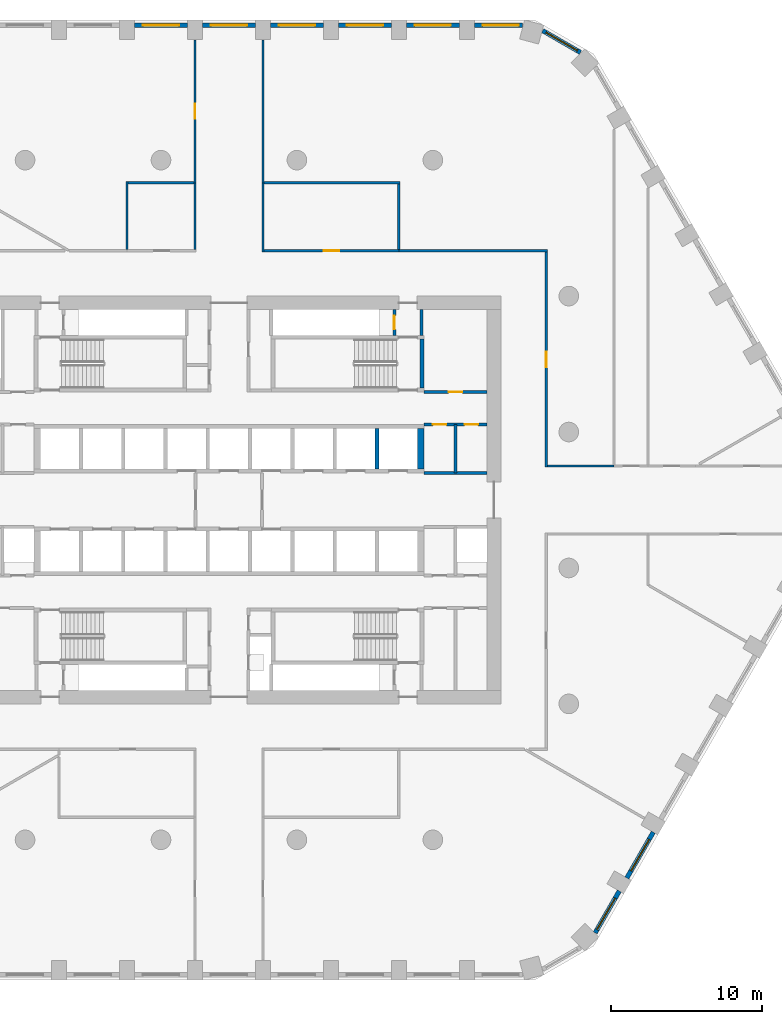
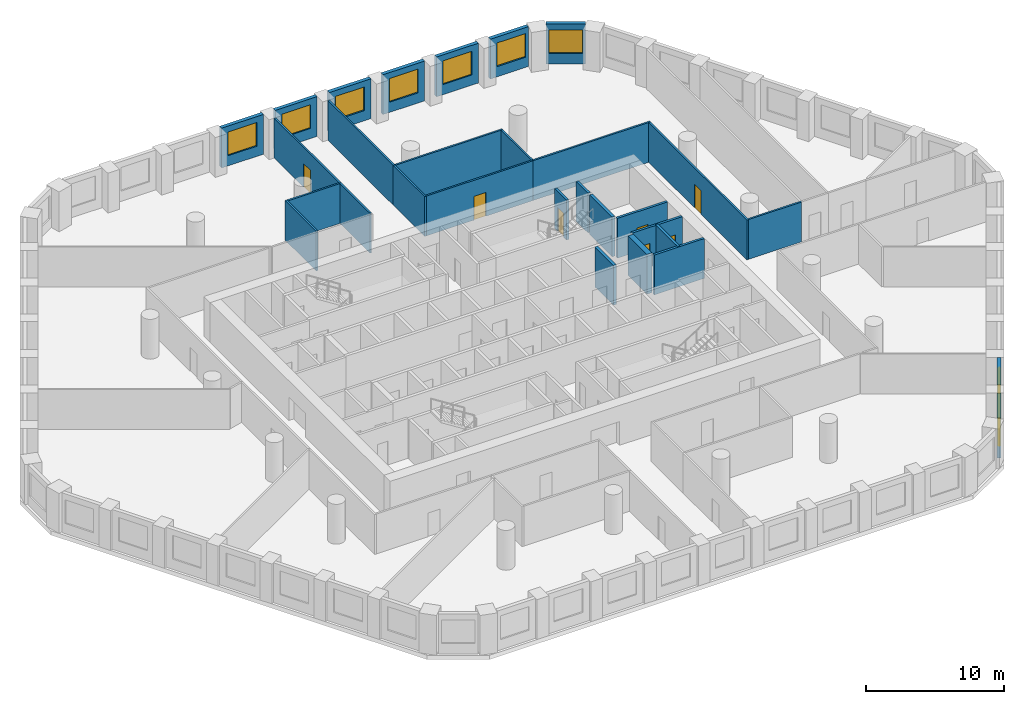
# One storey, part 7 of 10: 30 walls, 9 windows, 7 doors, 16 openings.
"""IFC4 building model written with IfcOpenShell, lengths in metres."""

from ifc_helpers import new_model, si_unit, direction, frame, frame_2d, origin, place, context, subcontext, project, spatial, polyline, rectangle, outline, extrude, material, layer, layer_set, type_object, element, fill, save


model = new_model("IFC4")

# Units and contexts
model_context = context("Model", 3, precision=1e-05, world=origin(), true_north=direction((0.0, 1.0)))
body_context = subcontext(model_context, "Body", "Model", "MODEL_VIEW")
ifc_project = project(units=[si_unit("LENGTHUNIT", "METRE"), si_unit("AREAUNIT", "SQUARE_METRE"), si_unit("VOLUMEUNIT", "CUBIC_METRE"), si_unit("PLANEANGLEUNIT", "RADIAN"), si_unit("MASSUNIT", "GRAM", prefix="KILO")], contexts=[model_context])

# Site, building, storey
site_placement = place(None, origin())
site = spatial("IfcSite", under=ifc_project, at=site_placement, CompositionType="ELEMENT")
building_placement = place(site_placement, origin())
building = spatial("IfcBuilding", under=site, at=building_placement, Name="Dhurran Vertical Campus", CompositionType="ELEMENT")
storey_placement = place(building_placement, frame((0.0, 0.0, 85.199951171875)))
storey = spatial("IfcBuildingStorey", under=building, at=storey_placement, Name="L20", CompositionType="ELEMENT", Elevation=85.199951171875)

# Wall, opening, window
ifc_material_1 = material(Name="Precast concrete C50/60", Category="concrete")
ifc_layer_1 = layer(ifc_material_1, 0.300048828125)
ifc_layer_set_1 = layer_set([ifc_layer_1], Name="Precast concrete C50/60")
wall_type_1 = type_object("IfcWallType", Name="Precast spandrel wall 300", PredefinedType="SOLIDWALL", material=ifc_layer_set_1)
wall_1_placement = place(storey_placement, frame((24.24755859375, -28.65576171875, 0.0), z_axis=(0.0, 0.0, 1.0), x_axis=(0.500004907028, 0.866022570692, 0.0)))
wall_1 = element("IfcWall", 1, at=wall_1_placement, inside=storey, type_object=wall_type_1, Name="EW1 L20.10", PredefinedType="SOLIDWALL", context=body_context, shape_type="SweptSolid", body=[
    extrude(rectangle(XDim=3.1923828125, YDim=0.300048828125, at=frame_2d((1.59619140625, 0.0))), origin(), (0.0, 0.0, 1.0), 3.525146484375),
])
opening_1_placement = place(wall_1_placement, frame((0.242919921875, 0.0, 0.89990234375)))
opening_1 = element("IfcOpeningElement", 2, at=opening_1_placement, cuts=wall_1, Name="Opening WT1", PredefinedType="OPENING", context=body_context, shape_type="SweptSolid", body=[
    extrude(rectangle(XDim=2.39990234375, YDim=2.10009765625, at=frame_2d((1.199951171875, 1.050048828125))), frame((0.0, 0.159912109375, 0.0), z_axis=(0.0, -1.0, 0.0), x_axis=(1.0, 0.0, 0.0)), (0.0, 0.0, 1.0), 0.320068359375),
])
ifc_material_2 = material(Name="Aluminium frame with solar-control glass", Category="aluminium")
window_type = type_object("IfcWindowType", Name="Punched window 2400 x 2100", PartitioningType="SINGLE_PANEL", PredefinedType="WINDOW", material=ifc_material_2)
window_1_placement = place(opening_1_placement, origin())
window_1 = element("IfcWindow", 3, at=window_1_placement, inside=storey, type_object=window_type, Name="WT1 L20.10", OverallHeight=2.10009765625, OverallWidth=2.39990234375, PartitioningType="SINGLE_PANEL", PredefinedType="WINDOW", context=body_context, shape_type="SweptSolid", body=[
    extrude(rectangle(XDim=2.39990234375, YDim=2.10009765625, at=frame_2d((1.199951171875, 1.050048828125))), frame((0.0, 0.030029296875, 0.0), z_axis=(0.0, -1.0, 0.0), x_axis=(1.0, 0.0, 0.0)), (0.0, 0.0, 1.0), 0.06005859375),
])
fill(opening_1, window_1)

wall_2_placement = place(storey_placement, frame((26.34423828125, -25.024169921875, 0.0), z_axis=(0.0, 0.0, 1.0), x_axis=(0.499996256241, 0.866027565234, 0.0)))
wall_2 = element("IfcWall", 4, at=wall_2_placement, inside=storey, type_object=wall_type_1, Name="EW1 L20.11", PredefinedType="SOLIDWALL", context=body_context, shape_type="SweptSolid", body=[
    extrude(rectangle(XDim=3.4990234375, YDim=0.300048828125, at=frame_2d((1.74951171875, 0.0))), origin(), (0.0, 0.0, 1.0), 3.525146484375),
])
opening_2_placement = place(wall_2_placement, frame((0.549560546875, 0.0, 0.89990234375)))
opening_2 = element("IfcOpeningElement", 5, at=opening_2_placement, cuts=wall_2, Name="Opening WT1", PredefinedType="OPENING", context=body_context, shape_type="SweptSolid", body=[
    extrude(rectangle(XDim=2.39990234375, YDim=2.10009765625, at=frame_2d((1.199951171875, 1.050048828125))), frame((0.0, 0.159912109375, 0.0), z_axis=(0.0, -1.0, 0.0), x_axis=(1.0, 0.0, 0.0)), (0.0, 0.0, 1.0), 0.320068359375),
])
window_2_placement = place(opening_2_placement, origin())
window_2 = element("IfcWindow", 6, at=window_2_placement, inside=storey, type_object=window_type, Name="WT1 L20.11", OverallHeight=2.10009765625, OverallWidth=2.39990234375, PartitioningType="SINGLE_PANEL", PredefinedType="WINDOW", context=body_context, shape_type="SweptSolid", body=[
    extrude(rectangle(XDim=2.39990234375, YDim=2.10009765625, at=frame_2d((1.199951171875, 1.050048828125))), frame((0.0, 0.030029296875, 0.0), z_axis=(0.0, -1.0, 0.0), x_axis=(1.0, 0.0, 0.0)), (0.0, 0.0, 1.0), 0.06005859375),
])
fill(opening_2, window_2)

wall_3_placement = place(storey_placement, frame((23.273193359375, 29.63037109375, 0.0), z_axis=(0.0, 0.0, 1.0), x_axis=(-0.866053149362, 0.49995194017, 0.0)))
wall_3 = element("IfcWall", 7, at=wall_3_placement, inside=storey, type_object=wall_type_1, Name="EW1 L20.25", PredefinedType="SOLIDWALL", context=body_context, shape_type="SweptSolid", body=[
    extrude(rectangle(XDim=2.885498046875, YDim=0.300048828125, at=frame_2d((1.44287109375, 0.0))), origin(), (0.0, 0.0, 1.0), 3.525146484375),
])
opening_3_placement = place(wall_3_placement, frame((0.242919921875, 0.0, 0.89990234375)))
opening_3 = element("IfcOpeningElement", 8, at=opening_3_placement, cuts=wall_3, Name="Opening WT1", PredefinedType="OPENING", context=body_context, shape_type="SweptSolid", body=[
    extrude(rectangle(XDim=2.39990234375, YDim=2.10009765625, at=frame_2d((1.199951171875, 1.050048828125))), frame((0.0, 0.159912109375, 0.0), z_axis=(0.0, -1.0, 0.0), x_axis=(1.0, 0.0, 0.0)), (0.0, 0.0, 1.0), 0.320068359375),
])
window_3_placement = place(opening_3_placement, origin())
window_3 = element("IfcWindow", 9, at=window_3_placement, inside=storey, type_object=window_type, Name="WT1 L20.25", OverallHeight=2.10009765625, OverallWidth=2.39990234375, PartitioningType="SINGLE_PANEL", PredefinedType="WINDOW", context=body_context, shape_type="SweptSolid", body=[
    extrude(rectangle(XDim=2.39990234375, YDim=2.10009765625, at=frame_2d((1.199951171875, 1.050048828125))), frame((0.0, 0.030029296875, 0.0), z_axis=(0.0, -1.0, 0.0), x_axis=(1.0, 0.0, 0.0)), (0.0, 0.0, 1.0), 0.06005859375),
])
fill(opening_3, window_3)

wall_4_placement = place(storey_placement, frame((19.44287109375, 31.4296875, 0.0), z_axis=(0.0, 0.0, 1.0), x_axis=(-1.0, 0.0, 0.0)))
wall_4 = element("IfcWall", 10, at=wall_4_placement, inside=storey, type_object=wall_type_1, Name="EW1 L20.26", PredefinedType="SOLIDWALL", context=body_context, shape_type="SweptSolid", body=[
    extrude(rectangle(XDim=3.1923828125, YDim=0.300048828125, at=frame_2d((1.59619140625, 0.0))), origin(), (0.0, 0.0, 1.0), 3.525146484375),
])
opening_4_placement = place(wall_4_placement, frame((0.242919921875, 0.0, 0.89990234375)))
opening_4 = element("IfcOpeningElement", 11, at=opening_4_placement, cuts=wall_4, Name="Opening WT1", PredefinedType="OPENING", context=body_context, shape_type="SweptSolid", body=[
    extrude(rectangle(XDim=2.39990234375, YDim=2.10009765625, at=frame_2d((1.199951171875, 1.050048828125))), frame((0.0, 0.159912109375, 0.0), z_axis=(0.0, -1.0, 0.0), x_axis=(1.0, 0.0, 0.0)), (0.0, 0.0, 1.0), 0.320068359375),
])
window_4_placement = place(opening_4_placement, origin())
window_4 = element("IfcWindow", 12, at=window_4_placement, inside=storey, type_object=window_type, Name="WT1 L20.26", OverallHeight=2.10009765625, OverallWidth=2.39990234375, PartitioningType="SINGLE_PANEL", PredefinedType="WINDOW", context=body_context, shape_type="SweptSolid", body=[
    extrude(rectangle(XDim=2.39990234375, YDim=2.10009765625, at=frame_2d((1.199951171875, 1.050048828125))), frame((0.0, 0.030029296875, 0.0), z_axis=(0.0, -1.0, 0.0), x_axis=(1.0, 0.0, 0.0)), (0.0, 0.0, 1.0), 0.06005859375),
])
fill(opening_4, window_4)

wall_5_placement = place(storey_placement, frame((15.24951171875, 31.4296875, 0.0), z_axis=(0.0, 0.0, 1.0), x_axis=(-1.0, 0.0, 0.0)))
wall_5 = element("IfcWall", 13, at=wall_5_placement, inside=storey, type_object=wall_type_1, Name="EW1 L20.27", PredefinedType="SOLIDWALL", context=body_context, shape_type="SweptSolid", body=[
    extrude(rectangle(XDim=3.4990234375, YDim=0.300048828125, at=frame_2d((1.74951171875, 0.0))), origin(), (0.0, 0.0, 1.0), 3.525146484375),
])
opening_5_placement = place(wall_5_placement, frame((0.549560546875, 0.0, 0.89990234375)))
opening_5 = element("IfcOpeningElement", 14, at=opening_5_placement, cuts=wall_5, Name="Opening WT1", PredefinedType="OPENING", context=body_context, shape_type="SweptSolid", body=[
    extrude(rectangle(XDim=2.39990234375, YDim=2.10009765625, at=frame_2d((1.199951171875, 1.050048828125))), frame((0.0, 0.159912109375, 0.0), z_axis=(0.0, -1.0, 0.0), x_axis=(1.0, 0.0, 0.0)), (0.0, 0.0, 1.0), 0.320068359375),
])
window_5_placement = place(opening_5_placement, origin())
window_5 = element("IfcWindow", 15, at=window_5_placement, inside=storey, type_object=window_type, Name="WT1 L20.27", OverallHeight=2.10009765625, OverallWidth=2.39990234375, PartitioningType="SINGLE_PANEL", PredefinedType="WINDOW", context=body_context, shape_type="SweptSolid", body=[
    extrude(rectangle(XDim=2.39990234375, YDim=2.10009765625, at=frame_2d((1.199951171875, 1.050048828125))), frame((0.0, 0.030029296875, 0.0), z_axis=(0.0, -1.0, 0.0), x_axis=(1.0, 0.0, 0.0)), (0.0, 0.0, 1.0), 0.06005859375),
])
fill(opening_5, window_5)

wall_6_placement = place(storey_placement, frame((10.74951171875, 31.4296875, 0.0), z_axis=(0.0, 0.0, 1.0), x_axis=(-1.0, 0.0, 0.0)))
wall_6 = element("IfcWall", 16, at=wall_6_placement, inside=storey, type_object=wall_type_1, Name="EW1 L20.28", PredefinedType="SOLIDWALL", context=body_context, shape_type="SweptSolid", body=[
    extrude(rectangle(XDim=3.4990234375, YDim=0.300048828125, at=frame_2d((1.74951171875, 0.0))), origin(), (0.0, 0.0, 1.0), 3.525146484375),
])
opening_6_placement = place(wall_6_placement, frame((0.549560546875, 0.0, 0.89990234375)))
opening_6 = element("IfcOpeningElement", 17, at=opening_6_placement, cuts=wall_6, Name="Opening WT1", PredefinedType="OPENING", context=body_context, shape_type="SweptSolid", body=[
    extrude(rectangle(XDim=2.39990234375, YDim=2.10009765625, at=frame_2d((1.199951171875, 1.050048828125))), frame((0.0, 0.159912109375, 0.0), z_axis=(0.0, -1.0, 0.0), x_axis=(1.0, 0.0, 0.0)), (0.0, 0.0, 1.0), 0.320068359375),
])
window_6_placement = place(opening_6_placement, origin())
window_6 = element("IfcWindow", 18, at=window_6_placement, inside=storey, type_object=window_type, Name="WT1 L20.28", OverallHeight=2.10009765625, OverallWidth=2.39990234375, PartitioningType="SINGLE_PANEL", PredefinedType="WINDOW", context=body_context, shape_type="SweptSolid", body=[
    extrude(rectangle(XDim=2.39990234375, YDim=2.10009765625, at=frame_2d((1.199951171875, 1.050048828125))), frame((0.0, 0.030029296875, 0.0), z_axis=(0.0, -1.0, 0.0), x_axis=(1.0, 0.0, 0.0)), (0.0, 0.0, 1.0), 0.06005859375),
])
fill(opening_6, window_6)

wall_7_placement = place(storey_placement, frame((6.24951171875, 31.4296875, 0.0), z_axis=(0.0, 0.0, 1.0), x_axis=(-1.0, 0.0, 0.0)))
wall_7 = element("IfcWall", 19, at=wall_7_placement, inside=storey, type_object=wall_type_1, Name="EW1 L20.29", PredefinedType="SOLIDWALL", context=body_context, shape_type="SweptSolid", body=[
    extrude(rectangle(XDim=3.4990234375, YDim=0.300048828125, at=frame_2d((1.74951171875, 0.0))), origin(), (0.0, 0.0, 1.0), 3.525146484375),
])
opening_7_placement = place(wall_7_placement, frame((0.549560546875, 0.0, 0.89990234375)))
opening_7 = element("IfcOpeningElement", 20, at=opening_7_placement, cuts=wall_7, Name="Opening WT1", PredefinedType="OPENING", context=body_context, shape_type="SweptSolid", body=[
    extrude(rectangle(XDim=2.39990234375, YDim=2.10009765625, at=frame_2d((1.199951171875, 1.050048828125))), frame((0.0, 0.159912109375, 0.0), z_axis=(0.0, -1.0, 0.0), x_axis=(1.0, 0.0, 0.0)), (0.0, 0.0, 1.0), 0.320068359375),
])
window_7_placement = place(opening_7_placement, origin())
window_7 = element("IfcWindow", 21, at=window_7_placement, inside=storey, type_object=window_type, Name="WT1 L20.29", OverallHeight=2.10009765625, OverallWidth=2.39990234375, PartitioningType="SINGLE_PANEL", PredefinedType="WINDOW", context=body_context, shape_type="SweptSolid", body=[
    extrude(rectangle(XDim=2.39990234375, YDim=2.10009765625, at=frame_2d((1.199951171875, 1.050048828125))), frame((0.0, 0.030029296875, 0.0), z_axis=(0.0, -1.0, 0.0), x_axis=(1.0, 0.0, 0.0)), (0.0, 0.0, 1.0), 0.06005859375),
])
fill(opening_7, window_7)

wall_8_placement = place(storey_placement, frame((1.74951171875, 31.4296875, 0.0), z_axis=(0.0, 0.0, 1.0), x_axis=(-1.0, 0.0, 0.0)))
wall_8 = element("IfcWall", 22, at=wall_8_placement, inside=storey, type_object=wall_type_1, Name="EW1 L20.30", PredefinedType="SOLIDWALL", context=body_context, shape_type="SweptSolid", body=[
    extrude(rectangle(XDim=3.4990234375, YDim=0.300048828125, at=frame_2d((1.74951171875, 0.0))), origin(), (0.0, 0.0, 1.0), 3.525146484375),
])
opening_8_placement = place(wall_8_placement, frame((0.549560546875, 0.0, 0.89990234375)))
opening_8 = element("IfcOpeningElement", 23, at=opening_8_placement, cuts=wall_8, Name="Opening WT1", PredefinedType="OPENING", context=body_context, shape_type="SweptSolid", body=[
    extrude(rectangle(XDim=2.39990234375, YDim=2.10009765625, at=frame_2d((1.199951171875, 1.050048828125))), frame((0.0, 0.159912109375, 0.0), z_axis=(0.0, -1.0, 0.0), x_axis=(1.0, 0.0, 0.0)), (0.0, 0.0, 1.0), 0.320068359375),
])
window_8_placement = place(opening_8_placement, origin())
window_8 = element("IfcWindow", 24, at=window_8_placement, inside=storey, type_object=window_type, Name="WT1 L20.30", OverallHeight=2.10009765625, OverallWidth=2.39990234375, PartitioningType="SINGLE_PANEL", PredefinedType="WINDOW", context=body_context, shape_type="SweptSolid", body=[
    extrude(rectangle(XDim=2.39990234375, YDim=2.10009765625, at=frame_2d((1.199951171875, 1.050048828125))), frame((0.0, 0.030029296875, 0.0), z_axis=(0.0, -1.0, 0.0), x_axis=(1.0, 0.0, 0.0)), (0.0, 0.0, 1.0), 0.06005859375),
])
fill(opening_8, window_8)

wall_9_placement = place(storey_placement, frame((-2.75048828125, 31.4296875, 0.0), z_axis=(0.0, 0.0, 1.0), x_axis=(-1.0, 0.0, 0.0)))
wall_9 = element("IfcWall", 25, at=wall_9_placement, inside=storey, type_object=wall_type_1, Name="EW1 L20.31", PredefinedType="SOLIDWALL", context=body_context, shape_type="SweptSolid", body=[
    extrude(rectangle(XDim=3.4990234375, YDim=0.300048828125, at=frame_2d((1.74951171875, 0.0))), origin(), (0.0, 0.0, 1.0), 3.525146484375),
])
opening_9_placement = place(wall_9_placement, frame((0.549560546875, 0.0, 0.89990234375)))
opening_9 = element("IfcOpeningElement", 26, at=opening_9_placement, cuts=wall_9, Name="Opening WT1", PredefinedType="OPENING", context=body_context, shape_type="SweptSolid", body=[
    extrude(rectangle(XDim=2.39990234375, YDim=2.10009765625, at=frame_2d((1.199951171875, 1.050048828125))), frame((0.0, 0.159912109375, 0.0), z_axis=(0.0, -1.0, 0.0), x_axis=(1.0, 0.0, 0.0)), (0.0, 0.0, 1.0), 0.320068359375),
])
window_9_placement = place(opening_9_placement, origin())
window_9 = element("IfcWindow", 27, at=window_9_placement, inside=storey, type_object=window_type, Name="WT1 L20.31", OverallHeight=2.10009765625, OverallWidth=2.39990234375, PartitioningType="SINGLE_PANEL", PredefinedType="WINDOW", context=body_context, shape_type="SweptSolid", body=[
    extrude(rectangle(XDim=2.39990234375, YDim=2.10009765625, at=frame_2d((1.199951171875, 1.050048828125))), frame((0.0, 0.030029296875, 0.0), z_axis=(0.0, -1.0, 0.0), x_axis=(1.0, 0.0, 0.0)), (0.0, 0.0, 1.0), 0.06005859375),
])
fill(opening_9, window_9)

# Wall
ifc_material_3 = material(Name="Fire-rated masonry blockwork", Category="masonry")
ifc_layer_2 = layer(ifc_material_3, 0.199951171875)
ifc_layer_set_2 = layer_set([ifc_layer_2], Name="Fire-rated masonry blockwork")
wall_type_2 = type_object("IfcWallType", Name="co-FIRE-PARTITION-200", PredefinedType="PARTITIONING", material=ifc_layer_set_2)
wall_10_placement = place(storey_placement, frame((12.75, 10.89990234375, 0.0), z_axis=(0.0, 0.0, 1.0), x_axis=(0.0, 1.0, 0.0)))
element("IfcWall", 28, at=wall_10_placement, inside=storey, type_object=wall_type_2, Name="Core partition pass-ST2-o L20", PredefinedType="PARTITIONING", context=body_context, shape_type="SweptSolid", body=[
    extrude(rectangle(XDim=1.7001953125, YDim=0.199951171875, at=frame_2d((0.85009765625, 0.0))), origin(), (0.0, 0.0, 1.0), 3.525146484375),
])

# Wall, opening, door
wall_11_placement = place(storey_placement, frame((10.949951171875, 10.89990234375, 0.0), z_axis=(0.0, 0.0, 1.0), x_axis=(0.0, 1.0, 0.0)))
wall_11 = element("IfcWall", 29, at=wall_11_placement, inside=storey, type_object=wall_type_2, Name="Core partition pass-ST2-i L20", PredefinedType="PARTITIONING", context=body_context, shape_type="SweptSolid", body=[
    extrude(rectangle(XDim=1.7001953125, YDim=0.199951171875, at=frame_2d((0.85009765625, 0.0))), origin(), (0.0, 0.0, 1.0), 3.525146484375),
])
opening_10_placement = place(wall_11_placement, frame((0.39990234375, 0.0, 0.0)))
opening_10 = element("IfcOpeningElement", 30, at=opening_10_placement, cuts=wall_11, Name="Opening T05-C9", PredefinedType="OPENING", context=body_context, shape_type="SweptSolid", body=[
    extrude(rectangle(XDim=0.89990234375, YDim=2.10009765625, at=frame_2d((0.449951171875, 1.050048828125))), frame((0.0, 0.10986328125, 0.0), z_axis=(0.0, -1.0, 0.0), x_axis=(1.0, 0.0, 0.0)), (0.0, 0.0, 1.0), 0.219970703125),
])
ifc_material_4 = material(Name="Fire-rated timber door set", Category="wood")
door_type_1 = type_object("IfcDoorType", Name="co-D-ROOM 900x2100", OperationType="SINGLE_SWING_LEFT", PredefinedType="DOOR", material=ifc_material_4)
door_1_placement = place(opening_10_placement, origin())
door_1 = element("IfcDoor", 31, at=door_1_placement, inside=storey, type_object=door_type_1, Name="Riser room door L20", OperationType="SINGLE_SWING_LEFT", OverallHeight=2.10009765625, OverallWidth=0.89990234375, PredefinedType="DOOR", context=body_context, shape_type="SweptSolid", body=[
    extrude(rectangle(XDim=0.89990234375, YDim=2.10009765625, at=frame_2d((0.449951171875, 1.050048828125))), frame((0.0, 0.02490234375, 0.0), z_axis=(0.0, -1.0, 0.0), x_axis=(1.0, 0.0, 0.0)), (0.0, 0.0, 1.0), 0.050048828125),
])
fill(opening_10, door_1)

wall_12_placement = place(storey_placement, frame((12.89990234375, 7.14990234375, 0.0), z_axis=(0.0, 0.0, 1.0), x_axis=(1.0, 0.0, 0.0)))
wall_12 = element("IfcWall", 32, at=wall_12_placement, inside=storey, type_object=wall_type_2, Name="Core partition en-NE-w L20", PredefinedType="PARTITIONING", context=body_context, shape_type="SweptSolid", body=[
    extrude(rectangle(XDim=4.2001953125, YDim=0.199951171875, at=frame_2d((2.10009765625, 0.0))), origin(), (0.0, 0.0, 1.0), 3.525146484375),
])
opening_11_placement = place(wall_12_placement, frame((1.64990234375, 0.0, 0.0)))
opening_11 = element("IfcOpeningElement", 33, at=opening_11_placement, cuts=wall_12, Name="Opening T05-C16", PredefinedType="OPENING", context=body_context, shape_type="SweptSolid", body=[
    extrude(rectangle(XDim=0.89990234375, YDim=2.10009765625, at=frame_2d((0.449951171875, 1.050048828125))), frame((0.0, 0.10986328125, 0.0), z_axis=(0.0, -1.0, 0.0), x_axis=(1.0, 0.0, 0.0)), (0.0, 0.0, 1.0), 0.219970703125),
])
door_2_placement = place(opening_11_placement, origin())
door_2 = element("IfcDoor", 34, at=door_2_placement, inside=storey, type_object=door_type_1, Name="Waste room door L20", OperationType="SINGLE_SWING_LEFT", OverallHeight=2.10009765625, OverallWidth=0.89990234375, PredefinedType="DOOR", context=body_context, shape_type="SweptSolid", body=[
    extrude(rectangle(XDim=0.89990234375, YDim=2.10009765625, at=frame_2d((0.449951171875, 1.050048828125))), frame((0.0, 0.02490234375, 0.0), z_axis=(0.0, -1.0, 0.0), x_axis=(1.0, 0.0, 0.0)), (0.0, 0.0, 1.0), 0.050048828125),
])
fill(opening_11, door_2)

# Wall
wall_13_placement = place(storey_placement, frame((15.0, 1.800048828125, 0.0), z_axis=(0.0, 0.0, 1.0), x_axis=(0.0, 1.0, 0.0)))
element("IfcWall", 35, at=wall_13_placement, inside=storey, type_object=wall_type_2, Name="Core partition es-NE-cut0 L20", PredefinedType="PARTITIONING", context=body_context, shape_type="SweptSolid", body=[
    extrude(rectangle(XDim=3.199951171875, YDim=0.199951171875, at=frame_2d((1.60009765625, 0.0))), origin(), (0.0, 0.0, 1.0), 3.525146484375),
])

# Wall, openings, doors
wall_14_placement = place(storey_placement, frame((12.89990234375, 5.0, 0.0), z_axis=(0.0, 0.0, 1.0), x_axis=(1.0, 0.0, 0.0)))
wall_14 = element("IfcWall", 36, at=wall_14_placement, inside=storey, type_object=wall_type_2, Name="Core partition es-NE-w L20", PredefinedType="PARTITIONING", context=body_context, shape_type="SweptSolid", body=[
    extrude(rectangle(XDim=4.2001953125, YDim=0.199951171875, at=frame_2d((2.10009765625, 0.0))), origin(), (0.0, 0.0, 1.0), 3.525146484375),
])
opening_12_placement = place(wall_14_placement, frame((0.60009765625, 0.0, 0.0)))
opening_12 = element("IfcOpeningElement", 37, at=opening_12_placement, cuts=wall_14, Name="Opening T05-C17", PredefinedType="OPENING", context=body_context, shape_type="SweptSolid", body=[
    extrude(rectangle(XDim=0.89990234375, YDim=2.10009765625, at=frame_2d((0.449951171875, 1.050048828125))), frame((0.0, 0.10986328125, 0.0), z_axis=(0.0, -1.0, 0.0), x_axis=(1.0, 0.0, 0.0)), (0.0, 0.0, 1.0), 0.219970703125),
])
opening_13_placement = place(wall_14_placement, frame((2.699951171875, 0.0, 0.0)))
opening_13 = element("IfcOpeningElement", 38, at=opening_13_placement, cuts=wall_14, Name="Opening T05-C18", PredefinedType="OPENING", context=body_context, shape_type="SweptSolid", body=[
    extrude(rectangle(XDim=0.89990234375, YDim=2.10009765625, at=frame_2d((0.449951171875, 1.050048828125))), frame((0.0, 0.10986328125, 0.0), z_axis=(0.0, -1.0, 0.0), x_axis=(1.0, 0.0, 0.0)), (0.0, 0.0, 1.0), 0.219970703125),
])
door_3_placement = place(opening_12_placement, origin())
door_3 = element("IfcDoor", 39, at=door_3_placement, inside=storey, type_object=door_type_1, Name="Server room door L20", OperationType="SINGLE_SWING_LEFT", OverallHeight=2.10009765625, OverallWidth=0.89990234375, PredefinedType="DOOR", context=body_context, shape_type="SweptSolid", body=[
    extrude(rectangle(XDim=0.89990234375, YDim=2.10009765625, at=frame_2d((0.449951171875, 1.050048828125))), frame((0.0, 0.02490234375, 0.0), z_axis=(0.0, -1.0, 0.0), x_axis=(1.0, 0.0, 0.0)), (0.0, 0.0, 1.0), 0.050048828125),
])
fill(opening_12, door_3)
door_4_placement = place(opening_13_placement, origin())
door_4 = element("IfcDoor", 40, at=door_4_placement, inside=storey, type_object=door_type_1, Name="Housekeeping store door L20", OperationType="SINGLE_SWING_LEFT", OverallHeight=2.10009765625, OverallWidth=0.89990234375, PredefinedType="DOOR", context=body_context, shape_type="SweptSolid", body=[
    extrude(rectangle(XDim=0.89990234375, YDim=2.10009765625, at=frame_2d((0.449951171875, 1.050048828125))), frame((0.0, 0.02490234375, 0.0), z_axis=(0.0, -1.0, 0.0), x_axis=(1.0, 0.0, 0.0)), (0.0, 0.0, 1.0), 0.050048828125),
])
fill(opening_13, door_4)

# Walls
wall_15_placement = place(storey_placement, frame((12.89990234375, 1.800048828125, 0.0), z_axis=(0.0, 0.0, 1.0), x_axis=(1.0, 0.0, 0.0)))
element("IfcWall", 41, at=wall_15_placement, inside=storey, type_object=wall_type_2, Name="Core partition es-NE-l L20", PredefinedType="PARTITIONING", context=body_context, shape_type="SweptSolid", body=[
    extrude(rectangle(XDim=4.2001953125, YDim=0.199951171875, at=frame_2d((2.10009765625, 0.0))), origin(), (0.0, 0.0, 1.0), 3.525146484375),
])
ifc_material_5 = material(Name="Concrete C50/60", Category="concrete")
ifc_layer_3 = layer(ifc_material_5, 0.25)
ifc_layer_set_3 = layer_set([ifc_layer_3], Name="Concrete C50/60")
wall_type_3 = type_object("IfcWallType", Name="co-SHAFT-MASS-250", PredefinedType="SHEAR", material=ifc_layer_set_3)
wall_16_placement = place(storey_placement, origin())
element("IfcWall", 42, at=wall_16_placement, inside=storey, type_object=wall_type_3, Name="Lift shaft wall N L20 10", PredefinedType="SHEAR", context=body_context, shape_type="SweptSolid", body=[
    extrude(outline(polyline([(9.675048828125, 2.050048828125), (9.925048828125, 2.050048828125), (9.925048828125, 4.75), (9.675048828125, 4.75), (9.675048828125, 2.050048828125)])), origin(), (0.0, 0.0, 1.0), 3.525146484375),
])
wall_17_placement = place(storey_placement, origin())
element("IfcWall", 43, at=wall_17_placement, inside=storey, type_object=wall_type_3, Name="Lift shaft wall N L20 11", PredefinedType="SHEAR", context=body_context, shape_type="SweptSolid", body=[
    extrude(outline(polyline([(12.47509765625, 2.050048828125), (12.89990234375, 2.050048828125), (12.89990234375, 4.75), (12.47509765625, 4.75), (12.47509765625, 2.050048828125)])), origin(), (0.0, 0.0, 1.0), 3.525146484375),
])
ifc_material_6 = material(Name="Concrete C40/50", Category="concrete")
ifc_layer_4 = layer(ifc_material_6, 0.25)
ifc_layer_set_4 = layer_set([ifc_layer_4], Name="Concrete C40/50")
wall_type_4 = type_object("IfcWallType", Name="co-STAIR-WALL-250", PredefinedType="SHEAR", material=ifc_layer_set_4)
wall_18_placement = place(storey_placement, frame((12.77490234375, 7.39990234375, 0.0), z_axis=(0.0, 0.0, 1.0), x_axis=(0.0, 1.0, 0.0)))
element("IfcWall", 44, at=wall_18_placement, inside=storey, type_object=wall_type_4, Name="Stair ST2 enclosure wall L20", PredefinedType="SHEAR", context=body_context, shape_type="SweptSolid", body=[
    extrude(rectangle(XDim=3.25, YDim=0.25, at=frame_2d((1.625, 0.0))), origin(), (0.0, 0.0, 1.0), 3.525146484375),
])
ifc_material_7 = material(Name="Gypsum board corridor wall on steel studs", Category="steel")
ifc_layer_5 = layer(ifc_material_7, 0.14990234375)
ifc_layer_set_5 = layer_set([ifc_layer_5], Name="Gypsum board corridor wall on steel studs")
wall_type_5 = type_object("IfcWallType", Name="fl-CW-150 corridor wall", PredefinedType="PARTITIONING", material=ifc_layer_set_5)
wall_19_placement = place(storey_placement, frame((-2.25, 16.574951171875, 0.0), z_axis=(0.0, 0.0, 1.0), x_axis=(0.0, 1.0, 0.0)))
element("IfcWall", 45, at=wall_19_placement, inside=storey, type_object=wall_type_5, Name="Partition 20-21", PredefinedType="PARTITIONING", context=body_context, shape_type="SweptSolid", body=[
    extrude(rectangle(XDim=4.425048828125, YDim=0.14990234375, at=frame_2d((2.21240234375, 0.0))), origin(), (0.0, 0.0, 1.0), 3.525146484375),
])

# Wall, opening, door
wall_20_placement = place(storey_placement, frame((-2.25, 21.0, 0.0), z_axis=(0.0, 0.0, 1.0), x_axis=(0.0, 1.0, 0.0)))
wall_20 = element("IfcWall", 46, at=wall_20_placement, inside=storey, type_object=wall_type_5, Name="Partition 20-22", PredefinedType="PARTITIONING", context=body_context, shape_type="SweptSolid", body=[
    extrude(rectangle(XDim=9.459716796875, YDim=0.14990234375, at=frame_2d((4.72998046875, 0.0))), origin(), (0.0, 0.0, 1.0), 3.525146484375),
])
opening_14_placement = place(wall_20_placement, frame((4.22998046875, 0.0, 0.0)))
opening_14 = element("IfcOpeningElement", 47, at=opening_14_placement, cuts=wall_20, Name="Opening T05.05", PredefinedType="OPENING", context=body_context, shape_type="SweptSolid", body=[
    extrude(rectangle(XDim=1.0, YDim=2.10009765625, at=frame_2d((0.5, 1.050048828125))), frame((0.0, 0.0849609375, 0.0), z_axis=(0.0, -1.0, 0.0), x_axis=(1.0, 0.0, 0.0)), (0.0, 0.0, 1.0), 0.169921875),
])
ifc_material_8 = material(Name="Solid-core timber door set, fire-rated", Category="wood")
door_type_2 = type_object("IfcDoorType", Name="fl-D-1000x2100", OperationType="SINGLE_SWING_LEFT", PredefinedType="DOOR", material=ifc_material_8)
door_5_placement = place(opening_14_placement, origin())
door_5 = element("IfcDoor", 48, at=door_5_placement, inside=storey, type_object=door_type_2, Name="Door 20.05", OperationType="SINGLE_SWING_LEFT", OverallHeight=2.10009765625, OverallWidth=1.0, PredefinedType="DOOR", context=body_context, shape_type="SweptSolid", body=[
    extrude(rectangle(XDim=1.0, YDim=2.10009765625, at=frame_2d((0.5, 1.050048828125))), frame((0.0, 0.02490234375, 0.0), z_axis=(0.0, -1.0, 0.0), x_axis=(1.0, 0.0, 0.0)), (0.0, 0.0, 1.0), 0.050048828125),
])
fill(opening_14, door_5)

# Wall
wall_21_placement = place(storey_placement, frame((2.25, 21.0, 0.0), z_axis=(0.0, 0.0, 1.0), x_axis=(0.0, -1.0, 0.0)))
element("IfcWall", 49, at=wall_21_placement, inside=storey, type_object=wall_type_5, Name="Partition 20-27", PredefinedType="PARTITIONING", context=body_context, shape_type="SweptSolid", body=[
    extrude(rectangle(XDim=4.574951171875, YDim=0.14990234375, at=frame_2d((2.28759765625, 0.0))), origin(), (0.0, 0.0, 1.0), 3.525146484375),
])

# Wall, opening, door
wall_22_placement = place(storey_placement, frame((11.25, 16.5, 0.0), z_axis=(0.0, 0.0, 1.0), x_axis=(-1.0, 0.0, 0.0)))
wall_22 = element("IfcWall", 50, at=wall_22_placement, inside=storey, type_object=wall_type_5, Name="Partition 20-28", PredefinedType="PARTITIONING", context=body_context, shape_type="SweptSolid", body=[
    extrude(rectangle(XDim=8.925048828125, YDim=0.14990234375, at=frame_2d((4.46240234375, 0.0))), origin(), (0.0, 0.0, 1.0), 3.525146484375),
])
opening_15_placement = place(wall_22_placement, frame((3.96240234375, 0.0, 0.0)))
opening_15 = element("IfcOpeningElement", 51, at=opening_15_placement, cuts=wall_22, Name="Opening T05.09", PredefinedType="OPENING", context=body_context, shape_type="SweptSolid", body=[
    extrude(rectangle(XDim=1.0, YDim=2.10009765625, at=frame_2d((0.5, 1.050048828125))), frame((0.0, 0.0849609375, 0.0), z_axis=(0.0, -1.0, 0.0), x_axis=(1.0, 0.0, 0.0)), (0.0, 0.0, 1.0), 0.169921875),
])
door_6_placement = place(opening_15_placement, origin())
door_6 = element("IfcDoor", 52, at=door_6_placement, inside=storey, type_object=door_type_2, Name="Door 20.09", OperationType="SINGLE_SWING_RIGHT", OverallHeight=2.10009765625, OverallWidth=1.0, PredefinedType="DOOR", context=body_context, shape_type="SweptSolid", body=[
    extrude(rectangle(XDim=1.0, YDim=2.10009765625, at=frame_2d((0.5, 1.050048828125))), frame((0.0, 0.02490234375, 0.0), z_axis=(0.0, -1.0, 0.0), x_axis=(1.0, 0.0, 0.0)), (0.0, 0.0, 1.0), 0.050048828125),
])
fill(opening_15, door_6)

# Walls
wall_23_placement = place(storey_placement, frame((2.25, 30.459716796875, 0.0), z_axis=(0.0, 0.0, 1.0), x_axis=(0.0, -1.0, 0.0)))
element("IfcWall", 53, at=wall_23_placement, inside=storey, type_object=wall_type_5, Name="Partition 20-29", PredefinedType="PARTITIONING", context=body_context, shape_type="SweptSolid", body=[
    extrude(rectangle(XDim=9.459716796875, YDim=0.14990234375, at=frame_2d((4.72998046875, 0.0))), origin(), (0.0, 0.0, 1.0), 3.525146484375),
])
wall_24_placement = place(storey_placement, frame((21.074951171875, 16.5, 0.0), z_axis=(0.0, 0.0, 1.0), x_axis=(-1.0, 0.0, 0.0)))
element("IfcWall", 54, at=wall_24_placement, inside=storey, type_object=wall_type_5, Name="Partition 20-34", PredefinedType="PARTITIONING", context=body_context, shape_type="SweptSolid", body=[
    extrude(rectangle(XDim=9.824951171875, YDim=0.14990234375, at=frame_2d((4.91259765625, 0.0))), origin(), (0.0, 0.0, 1.0), 3.525146484375),
])

# Wall, opening, door
wall_25_placement = place(storey_placement, frame((21.0, 2.175048828125, 0.0), z_axis=(0.0, 0.0, 1.0), x_axis=(0.0, 1.0, 0.0)))
wall_25 = element("IfcWall", 55, at=wall_25_placement, inside=storey, type_object=wall_type_5, Name="Partition 20-39", PredefinedType="PARTITIONING", context=body_context, shape_type="SweptSolid", body=[
    extrude(rectangle(XDim=14.25, YDim=0.14990234375, at=frame_2d((7.125, 0.0))), origin(), (0.0, 0.0, 1.0), 3.525146484375),
])
opening_16_placement = place(wall_25_placement, frame((6.625, 0.0, 0.0)))
opening_16 = element("IfcOpeningElement", 56, at=opening_16_placement, cuts=wall_25, Name="Opening T05.11", PredefinedType="OPENING", context=body_context, shape_type="SweptSolid", body=[
    extrude(rectangle(XDim=1.0, YDim=2.10009765625, at=frame_2d((0.5, 1.050048828125))), frame((0.0, 0.0849609375, 0.0), z_axis=(0.0, -1.0, 0.0), x_axis=(1.0, 0.0, 0.0)), (0.0, 0.0, 1.0), 0.169921875),
])
door_7_placement = place(opening_16_placement, origin())
door_7 = element("IfcDoor", 57, at=door_7_placement, inside=storey, type_object=door_type_2, Name="Door 20.11", OperationType="SINGLE_SWING_RIGHT", OverallHeight=2.10009765625, OverallWidth=1.0, PredefinedType="DOOR", context=body_context, shape_type="SweptSolid", body=[
    extrude(rectangle(XDim=1.0, YDim=2.10009765625, at=frame_2d((0.5, 1.050048828125))), frame((0.0, 0.02490234375, 0.0), z_axis=(0.0, -1.0, 0.0), x_axis=(1.0, 0.0, 0.0)), (0.0, 0.0, 1.0), 0.050048828125),
])
fill(opening_16, door_7)

# Walls
wall_26_placement = place(storey_placement, frame((21.074951171875, 2.25, 0.0), z_axis=(0.0, 0.0, 1.0), x_axis=(1.0, 0.0, 0.0)))
element("IfcWall", 58, at=wall_26_placement, inside=storey, type_object=wall_type_5, Name="Partition 20-40", PredefinedType="PARTITIONING", context=body_context, shape_type="SweptSolid", body=[
    extrude(rectangle(XDim=4.425048828125, YDim=0.14990234375, at=frame_2d((2.21240234375, 0.0))), origin(), (0.0, 0.0, 1.0), 3.525146484375),
])
ifc_material_9 = material(Name="Gypsum board partition on steel studs", Category="steel")
ifc_layer_6 = layer(ifc_material_9, 0.14990234375)
ifc_layer_set_6 = layer_set([ifc_layer_6], Name="Gypsum board partition on steel studs")
wall_type_6 = type_object("IfcWallType", Name="fl-PW-150 fixed partition", PredefinedType="PARTITIONING", material=ifc_layer_set_6)
wall_27_placement = place(storey_placement, frame((-6.75, 21.074951171875, 0.0), z_axis=(0.0, 0.0, 1.0), x_axis=(0.0, -1.0, 0.0)))
element("IfcWall", 59, at=wall_27_placement, inside=storey, type_object=wall_type_6, Name="Partition 20-16", PredefinedType="PARTITIONING", context=body_context, shape_type="SweptSolid", body=[
    extrude(rectangle(XDim=4.5, YDim=0.14990234375, at=frame_2d((2.25, 0.0))), origin(), (0.0, 0.0, 1.0), 3.525146484375),
])
wall_28_placement = place(storey_placement, frame((-2.324951171875, 21.0, 0.0), z_axis=(0.0, 0.0, 1.0), x_axis=(-1.0, 0.0, 0.0)))
element("IfcWall", 60, at=wall_28_placement, inside=storey, type_object=wall_type_6, Name="Partition 20-18", PredefinedType="PARTITIONING", context=body_context, shape_type="SweptSolid", body=[
    extrude(rectangle(XDim=4.35009765625, YDim=0.14990234375, at=frame_2d((2.175048828125, 0.0))), origin(), (0.0, 0.0, 1.0), 3.525146484375),
])
wall_29_placement = place(storey_placement, frame((2.324951171875, 21.0, 0.0), z_axis=(0.0, 0.0, 1.0), x_axis=(1.0, 0.0, 0.0)))
element("IfcWall", 61, at=wall_29_placement, inside=storey, type_object=wall_type_6, Name="Partition 20-30", PredefinedType="PARTITIONING", context=body_context, shape_type="SweptSolid", body=[
    extrude(rectangle(XDim=9.0, YDim=0.14990234375, at=frame_2d((4.5, 0.0))), origin(), (0.0, 0.0, 1.0), 3.525146484375),
])
wall_30_placement = place(storey_placement, frame((11.25, 20.925048828125, 0.0), z_axis=(0.0, 0.0, 1.0), x_axis=(0.0, -1.0, 0.0)))
element("IfcWall", 62, at=wall_30_placement, inside=storey, type_object=wall_type_6, Name="Partition 20-33", PredefinedType="PARTITIONING", context=body_context, shape_type="SweptSolid", body=[
    extrude(rectangle(XDim=4.35009765625, YDim=0.14990234375, at=frame_2d((2.175048828125, 0.0))), origin(), (0.0, 0.0, 1.0), 3.525146484375),
])

save(model, "model.ifc")
